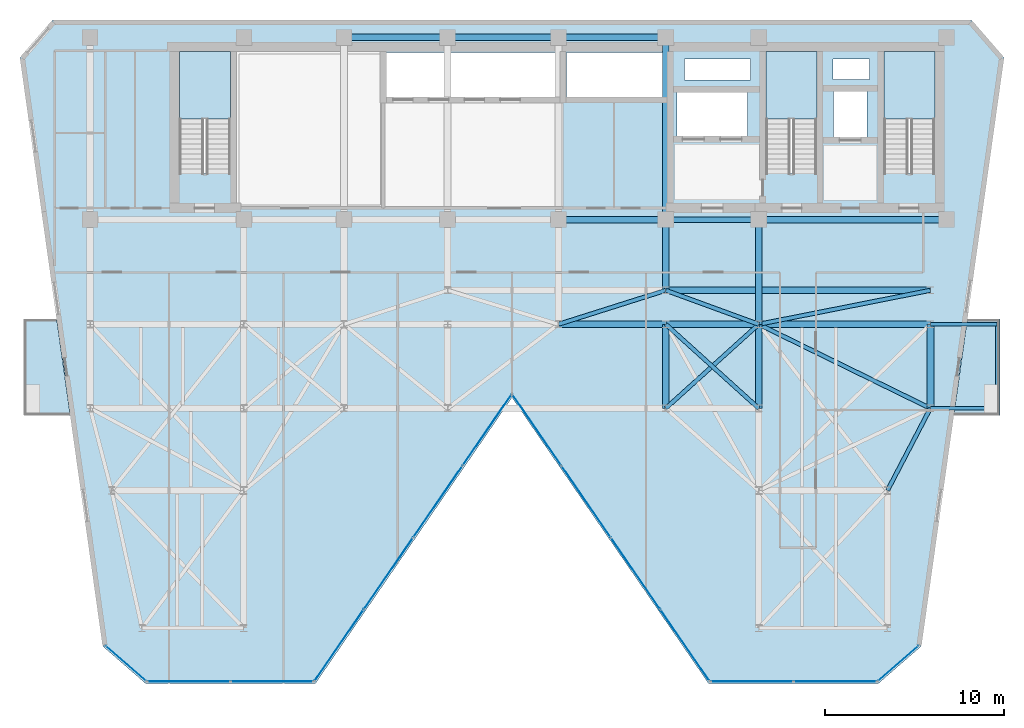
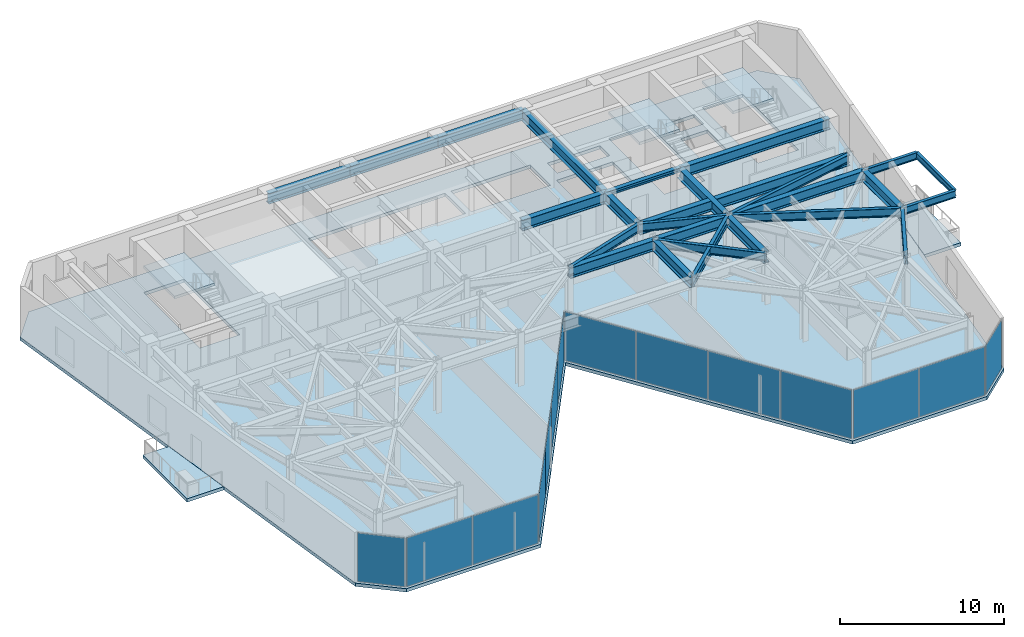
# One storey, part 15 of 21: 26 beams, 14 plates, 6 slabs, 9 elements without a shape of their own.
"""IFC4 building model written with IfcOpenShell, lengths in metres."""

from ifc_helpers import new_model, si_unit, direction, frame, origin, origin_2d, place, context, subcontext, project, spatial, polyline, rectangle, i_section, outline, extrude, material, layer, layer_set, material_profile, profile_set, type_object, element, aggregate, save


model = new_model("IFC4")

# Units and contexts
model_context = context("Model", 3, precision=1e-05, world=origin(), true_north=direction((0.0, 1.0)))
body_context = subcontext(model_context, "Body", "Model", "MODEL_VIEW")
ifc_project = project(units=[si_unit("LENGTHUNIT", "METRE"), si_unit("AREAUNIT", "SQUARE_METRE"), si_unit("VOLUMEUNIT", "CUBIC_METRE"), si_unit("PLANEANGLEUNIT", "RADIAN"), si_unit("MASSUNIT", "GRAM", prefix="KILO")], contexts=[model_context])

# Site, building, storey
site_placement = place(None, origin())
site = spatial("IfcSite", under=ifc_project, at=site_placement, CompositionType="ELEMENT")
building_placement = place(site_placement, origin())
building = spatial("IfcBuilding", under=site, at=building_placement, Name="Kravanh Interchange Tower", CompositionType="ELEMENT")
storey_placement = place(building_placement, frame((0.0, 0.0, 184.5)))
storey = spatial("IfcBuildingStorey", under=building, at=storey_placement, Name="L44", CompositionType="ELEMENT", Elevation=184.5)

# Beams
ifc_material_1 = material(Name="Structural Steel S355", Category="steel")
ifc_material_profile_1 = material_profile(ifc_material_1, i_section(OverallWidth=0.381103515625, OverallDepth=0.77294921875, WebThickness=0.0166015625, FlangeThickness=0.027099609375, FilletRadius=0.02490234375, at=origin_2d()), Name="W30X173")
ifc_profile_set_1 = profile_set([ifc_material_profile_1], Name="Structural Steel S355")
beam_type_1 = type_object("IfcBeamType", Name="Floor Beam W30X173 Structural Steel S355", PredefinedType="BEAM", material=ifc_profile_set_1)
beam_1_placement = place(storey_placement, frame((66.5, 37.35009765625, 3.368408203125), z_axis=(-1.0, 0.0, 0.0), x_axis=(0.0, -1.0, 0.0)))
element("IfcBeam", 1, at=beam_1_placement, inside=storey, type_object=beam_type_1, Name="L44 Primary Floor Girder 5", PredefinedType="BEAM", context=body_context, shape_type="SweptSolid", body=[
    extrude(i_section(OverallWidth=0.381103515625, OverallDepth=0.77294921875, WebThickness=0.0166015625, FlangeThickness=0.027099609375, FilletRadius=0.02490234375, at=origin_2d()), origin(), (0.0, 0.0, 1.0), 10.5),
])
beam_2_placement = place(storey_placement, frame((56.0, 37.35009765625, 3.368408203125), z_axis=(0.0, -1.0, 0.0), x_axis=(1.0, 0.0, 0.0)))
element("IfcBeam", 2, at=beam_2_placement, inside=storey, type_object=beam_type_1, Name="L44 Primary Floor Girder 7", PredefinedType="BEAM", context=body_context, shape_type="SweptSolid", body=[
    extrude(i_section(OverallWidth=0.381103515625, OverallDepth=0.77294921875, WebThickness=0.0166015625, FlangeThickness=0.027099609375, FilletRadius=0.02490234375, at=origin_2d()), origin(), (0.0, 0.0, 1.0), 5.85009765625),
])
beam_3_placement = place(storey_placement, frame((50.800048828125, 47.550048828125, 3.368408203125), z_axis=(-1.0, 0.0, 0.0), x_axis=(0.0, -1.0, 0.0)))
element("IfcBeam", 3, at=beam_3_placement, inside=storey, type_object=beam_type_1, Name="L44 Primary Floor Girder 8", PredefinedType="BEAM", context=body_context, shape_type="SweptSolid", body=[
    extrude(i_section(OverallWidth=0.381103515625, OverallDepth=0.77294921875, WebThickness=0.0166015625, FlangeThickness=0.027099609375, FilletRadius=0.02490234375, at=origin_2d()), origin(), (0.0, 0.0, 1.0), 6.0),
])
beam_4_placement = place(storey_placement, frame((50.800048828125, 47.550048828125, 3.368408203125), z_axis=(0.0, -1.0, 0.0), x_axis=(1.0, 0.0, 0.0)))
element("IfcBeam", 4, at=beam_4_placement, inside=storey, type_object=beam_type_1, Name="L44 Primary Floor Girder 9", PredefinedType="BEAM", context=body_context, shape_type="SweptSolid", body=[
    extrude(i_section(OverallWidth=0.381103515625, OverallDepth=0.77294921875, WebThickness=0.0166015625, FlangeThickness=0.027099609375, FilletRadius=0.02490234375, at=origin_2d()), origin(), (0.0, 0.0, 1.0), 10.199951171875),
])
beam_5_placement = place(storey_placement, frame((50.800048828125, 37.35009765625, 3.368408203125), z_axis=(0.0, -1.0, 0.0), x_axis=(1.0, 0.0, 0.0)))
element("IfcBeam", 5, at=beam_5_placement, inside=storey, type_object=beam_type_1, Name="L44 Primary Floor Girder 10", PredefinedType="BEAM", context=body_context, shape_type="SweptSolid", body=[
    extrude(i_section(OverallWidth=0.381103515625, OverallDepth=0.77294921875, WebThickness=0.0166015625, FlangeThickness=0.027099609375, FilletRadius=0.02490234375, at=origin_2d()), origin(), (0.0, 0.0, 1.0), 3.9501953125),
])
beam_6_placement = place(storey_placement, frame((50.800048828125, 37.35009765625, 3.368408203125), z_axis=(-1.0, 0.0, 0.0), x_axis=(0.0, -1.0, 0.0)))
element("IfcBeam", 6, at=beam_6_placement, inside=storey, type_object=beam_type_1, Name="L44 Primary Floor Girder 11", PredefinedType="BEAM", context=body_context, shape_type="SweptSolid", body=[
    extrude(i_section(OverallWidth=0.381103515625, OverallDepth=0.77294921875, WebThickness=0.0166015625, FlangeThickness=0.027099609375, FilletRadius=0.02490234375, at=origin_2d()), origin(), (0.0, 0.0, 1.0), 6.0),
])
beam_7_placement = place(storey_placement, frame((44.800048828125, 47.550048828125, 3.368408203125), z_axis=(-1.0, 0.0, 0.0), x_axis=(0.0, -1.0, 0.0)))
element("IfcBeam", 7, at=beam_7_placement, inside=storey, type_object=beam_type_1, Name="L44 Primary Floor Girder 15", PredefinedType="BEAM", context=body_context, shape_type="SweptSolid", body=[
    extrude(i_section(OverallWidth=0.381103515625, OverallDepth=0.77294921875, WebThickness=0.0166015625, FlangeThickness=0.027099609375, FilletRadius=0.02490234375, at=origin_2d()), origin(), (0.0, 0.0, 1.0), 6.199951171875),
])
beam_8_placement = place(storey_placement, frame((38.60009765625, 47.550048828125, 3.368408203125), z_axis=(-1.0, 0.0, 0.0), x_axis=(0.0, -1.0, 0.0)))
element("IfcBeam", 8, at=beam_8_placement, inside=storey, type_object=beam_type_1, Name="L44 Primary Floor Girder 19", PredefinedType="BEAM", context=body_context, shape_type="SweptSolid", body=[
    extrude(i_section(OverallWidth=0.381103515625, OverallDepth=0.77294921875, WebThickness=0.0166015625, FlangeThickness=0.027099609375, FilletRadius=0.02490234375, at=origin_2d()), origin(), (0.0, 0.0, 1.0), 5.800048828125),
])
for number, where, z_axis, x_axis, name in (
    (9, (50.800048828125, 26.800048828125, 3.368408203125), (0.0, 1.0, 0.0), (-1.0, 0.0, 0.0), "L44 Primary Floor Girder 49"),
    (10, (56.0, 26.800048828125, 3.368408203125), (0.0, 1.0, 0.0), (-1.0, 0.0, 0.0), "L44 Primary Floor Girder 54"),
    (11, (65.60009765625, 26.800048828125, 3.368408203125), (0.0, 1.0, 0.0), (-1.0, 0.0, 0.0), "L44 Primary Floor Girder 57"),
):
    element("IfcBeam", number, at=place(storey_placement, frame(where, z_axis=z_axis, x_axis=x_axis)), inside=storey, type_object=beam_type_1, Name=name, PredefinedType="BEAM", context=body_context, shape_type="SweptSolid", body=[
        extrude(i_section(OverallWidth=0.381103515625, OverallDepth=0.77294921875, WebThickness=0.0166015625, FlangeThickness=0.027099609375, FilletRadius=0.02490234375, at=origin_2d()), origin(), (0.0, 0.0, 1.0), 4.699951171875),
    ])
beam_9_placement = place(storey_placement, frame((44.800048828125, 31.5, 3.368408203125), z_axis=(1.0, 0.0, 0.0), x_axis=(0.0, 1.0, 0.0)))
element("IfcBeam", 12, at=beam_9_placement, inside=storey, type_object=beam_type_1, Name="L44 Primary Floor Girder 74", PredefinedType="BEAM", context=body_context, shape_type="SweptSolid", body=[
    extrude(i_section(OverallWidth=0.381103515625, OverallDepth=0.77294921875, WebThickness=0.0166015625, FlangeThickness=0.027099609375, FilletRadius=0.02490234375, at=origin_2d()), origin(), (0.0, 0.0, 1.0), 6.0),
])
beam_10_placement = place(storey_placement, frame((50.800048828125, 31.5, 3.368408203125), z_axis=(1.0, 0.0, 0.0), x_axis=(0.0, 1.0, 0.0)))
element("IfcBeam", 13, at=beam_10_placement, inside=storey, type_object=beam_type_1, Name="L44 Primary Floor Girder 77", PredefinedType="BEAM", context=body_context, shape_type="SweptSolid", body=[
    extrude(i_section(OverallWidth=0.381103515625, OverallDepth=0.77294921875, WebThickness=0.0166015625, FlangeThickness=0.027099609375, FilletRadius=0.02490234375, at=origin_2d()), origin(), (0.0, 0.0, 1.0), 5.199951171875),
])
beam_11_placement = place(storey_placement, frame((56.0, 31.5, 3.368408203125), z_axis=(1.0, 0.0, 0.0), x_axis=(0.0, 1.0, 0.0)))
element("IfcBeam", 14, at=beam_11_placement, inside=storey, type_object=beam_type_1, Name="L44 Primary Floor Girder 81", PredefinedType="BEAM", context=body_context, shape_type="SweptSolid", body=[
    extrude(i_section(OverallWidth=0.381103515625, OverallDepth=0.77294921875, WebThickness=0.0166015625, FlangeThickness=0.027099609375, FilletRadius=0.02490234375, at=origin_2d()), origin(), (0.0, 0.0, 1.0), 9.60009765625),
])
beam_12_placement = place(storey_placement, frame((50.800048828125, 33.39990234375, 3.368408203125), z_axis=(1.0, 0.0, 0.0), x_axis=(0.0, 1.0, 0.0)))
element("IfcBeam", 15, at=beam_12_placement, inside=storey, type_object=beam_type_1, Name="L44 Primary Floor Girder 95", PredefinedType="BEAM", context=body_context, shape_type="SweptSolid", body=[
    extrude(i_section(OverallWidth=0.381103515625, OverallDepth=0.77294921875, WebThickness=0.0166015625, FlangeThickness=0.027099609375, FilletRadius=0.02490234375, at=origin_2d()), origin(), (0.0, 0.0, 1.0), 14.800048828125),
])
ifc_material_2 = material(Name="Structural Steel S355", Category="steel")
ifc_material_profile_2 = material_profile(ifc_material_2, i_section(OverallWidth=0.18994140625, OverallDepth=0.45703125, WebThickness=0.009033203125, FlangeThickness=0.014404296875, FilletRadius=0.01806640625, at=origin_2d()), Name="W18X50")
ifc_profile_set_2 = profile_set([ifc_material_profile_2], Name="Structural Steel S355")
beam_type_2 = type_object("IfcBeamType", Name="Floor Joist W18X50 Structural Steel S355", PredefinedType="JOIST", material=ifc_profile_set_2)
beam_13_placement = place(storey_placement, frame((69.330078125, 26.800048828125, 3.526611328125), z_axis=(0.0, 1.0, 0.0), x_axis=(-1.0, 0.0, 0.0)))
element("IfcBeam", 16, at=beam_13_placement, inside=storey, type_object=beam_type_2, Name="L44 Balcony Edge Tie Beam E", PredefinedType="JOIST", context=body_context, shape_type="SweptSolid", body=[
    extrude(i_section(OverallWidth=0.18994140625, OverallDepth=0.45703125, WebThickness=0.009033203125, FlangeThickness=0.014404296875, FilletRadius=0.01806640625, at=origin_2d()), origin(), (0.0, 0.0, 1.0), 4.699951171875),
])
ifc_material_3 = material(Name="Structural Steel S355", Category="steel")
ifc_material_profile_3 = material_profile(ifc_material_3, i_section(OverallWidth=0.304931640625, OverallDepth=0.306884765625, WebThickness=0.010009765625, FlangeThickness=0.015380859375, FilletRadius=0.014892578125, at=origin_2d()), Name="W12X65")
ifc_profile_set_3 = profile_set([ifc_material_profile_3], Name="Structural Steel S355")
beam_type_3 = type_object("IfcBeamType", Name="Floor Lintel W12X65 Structural Steel S355", PredefinedType="LINTEL", material=ifc_profile_set_3)
beam_14_placement = place(storey_placement, frame((50.800048828125, 37.35009765625, 3.6015625), z_axis=(1.0, 0.0, 0.0), x_axis=(0.0, 1.0, 0.0)))
element("IfcBeam", 17, at=beam_14_placement, inside=storey, type_object=beam_type_3, Name="L44 Core Coupling Lintel 1", PredefinedType="LINTEL", context=body_context, shape_type="SweptSolid", body=[
    extrude(i_section(OverallWidth=0.304931640625, OverallDepth=0.306884765625, WebThickness=0.010009765625, FlangeThickness=0.015380859375, FilletRadius=0.014892578125, at=origin_2d()), origin(), (0.0, 0.0, 1.0), 5.199951171875),
])
ifc_material_4 = material(Name="Structural Steel S355", Category="steel")
ifc_material_profile_4 = material_profile(ifc_material_4, i_section(OverallWidth=0.2099609375, OverallDepth=0.537109375, WebThickness=0.010986328125, FlangeThickness=0.017333984375, FilletRadius=0.02001953125, at=origin_2d()), Name="W21X68")
ifc_profile_set_4 = profile_set([ifc_material_profile_4], Name="Structural Steel S355")
beam_type_4 = type_object("IfcBeamType", Name="Floor Spandrel W21X68 Structural Steel S355", PredefinedType="SPANDREL", material=ifc_profile_set_4)
for number, where, z_axis, x_axis, name in (
    (18, (65.60009765625, 26.800048828125, 3.486572265625), (1.0, 0.0, 0.0), (0.0, 1.0, 0.0), "L44 Balcony Cantilever Outrigger E1"),
    (19, (65.60009765625, 31.5, 3.486572265625), (1.0, 0.0, 0.0), (0.0, 1.0, 0.0), "L44 Balcony Cantilever Outrigger E2"),
):
    element("IfcBeam", number, at=place(storey_placement, frame(where, z_axis=z_axis, x_axis=x_axis)), inside=storey, type_object=beam_type_4, Name=name, PredefinedType="SPANDREL", context=body_context, shape_type="SweptSolid", body=[
        extrude(i_section(OverallWidth=0.2099609375, OverallDepth=0.537109375, WebThickness=0.010986328125, FlangeThickness=0.017333984375, FilletRadius=0.02001953125, at=origin_2d()), origin(), (0.0, 0.0, 1.0), 3.72998046875),
    ])
ifc_material_5 = material(Name="Structural Steel S355", Category="steel")
ifc_material_profile_5 = material_profile(ifc_material_5, i_section(OverallWidth=0.22802734375, OverallDepth=0.60791015625, WebThickness=0.01123046875, FlangeThickness=0.017333984375, FilletRadius=0.02197265625, at=origin_2d()), Name="W24X76")
ifc_profile_set_5 = profile_set([ifc_material_profile_5], Name="Structural Steel S355")
beam_type_5 = type_object("IfcBeamType", Name="Floor Spandrel W24X76 Structural Steel S355", PredefinedType="SPANDREL", material=ifc_profile_set_5)
for number, where, z_axis, x_axis, name in (
    (20, (50.800048828125, 26.800048828125, 3.450927734375), (0.741874009795, 0.670539300557, 0.0), (-0.670539300557, 0.741874009795, 0.0), "L44 Perimeter Spandrel 52"),
    (21, (56.0, 26.800048828125, 3.450927734375), (-0.741874009795, 0.670539300557, 0.0), (-0.670539300557, -0.741874009795, 0.0), "L44 Perimeter Spandrel 55"),
):
    element("IfcBeam", number, at=place(storey_placement, frame(where, z_axis=z_axis, x_axis=x_axis)), inside=storey, type_object=beam_type_5, Name=name, PredefinedType="SPANDREL", context=body_context, shape_type="SweptSolid", body=[
        extrude(i_section(OverallWidth=0.22802734375, OverallDepth=0.60791015625, WebThickness=0.01123046875, FlangeThickness=0.017333984375, FilletRadius=0.02197265625, at=origin_2d()), origin(), (0.0, 0.0, 1.0), 7.00927734375),
    ])
beam_15_placement = place(storey_placement, frame((65.60009765625, 26.800048828125, 3.450927734375), z_axis=(-0.462580479178, -0.886577295155, 0.0), x_axis=(0.886577295155, -0.462580479178, 0.0)))
element("IfcBeam", 22, at=beam_15_placement, inside=storey, type_object=beam_type_5, Name="L44 Perimeter Spandrel 58", PredefinedType="SPANDREL", context=body_context, shape_type="SweptSolid", body=[
    extrude(i_section(OverallWidth=0.22802734375, OverallDepth=0.60791015625, WebThickness=0.01123046875, FlangeThickness=0.017333984375, FilletRadius=0.02197265625, at=origin_2d()), origin(), (0.0, 0.0, 1.0), 5.188720703125),
])
beam_16_placement = place(storey_placement, frame((65.60009765625, 26.800048828125, 3.450927734375), z_axis=(-0.898141688387, 0.439706160499, 0.0), x_axis=(-0.439706160499, -0.898141688387, 0.0)))
element("IfcBeam", 23, at=beam_16_placement, inside=storey, type_object=beam_type_5, Name="L44 Perimeter Spandrel 60", PredefinedType="SPANDREL", context=body_context, shape_type="SweptSolid", body=[
    extrude(i_section(OverallWidth=0.22802734375, OverallDepth=0.60791015625, WebThickness=0.01123046875, FlangeThickness=0.017333984375, FilletRadius=0.02197265625, at=origin_2d()), origin(), (0.0, 0.0, 1.0), 10.68896484375),
])
beam_17_placement = place(storey_placement, frame((44.800048828125, 31.5, 3.450927734375), z_axis=(0.953346691051, 0.301877602122, 0.0), x_axis=(-0.301877602122, 0.953346691051, 0.0)))
element("IfcBeam", 24, at=beam_17_placement, inside=storey, type_object=beam_type_5, Name="L44 Perimeter Spandrel 75", PredefinedType="SPANDREL", context=body_context, shape_type="SweptSolid", body=[
    extrude(i_section(OverallWidth=0.22802734375, OverallDepth=0.60791015625, WebThickness=0.01123046875, FlangeThickness=0.017333984375, FilletRadius=0.02197265625, at=origin_2d()), origin(), (0.0, 0.0, 1.0), 6.293701171875),
])
beam_18_placement = place(storey_placement, frame((56.0, 31.5, 3.450927734375), z_axis=(-0.93926957103, 0.343180233896, 0.0), x_axis=(-0.343180233896, -0.93926957103, 0.0)))
element("IfcBeam", 25, at=beam_18_placement, inside=storey, type_object=beam_type_5, Name="L44 Perimeter Spandrel 80", PredefinedType="SPANDREL", context=body_context, shape_type="SweptSolid", body=[
    extrude(i_section(OverallWidth=0.22802734375, OverallDepth=0.60791015625, WebThickness=0.01123046875, FlangeThickness=0.017333984375, FilletRadius=0.02197265625, at=origin_2d()), origin(), (0.0, 0.0, 1.0), 5.5361328125),
])
beam_19_placement = place(storey_placement, frame((56.0, 31.5, 3.450927734375), z_axis=(0.980974000807, 0.194139150457, 0.0), x_axis=(-0.194139150457, 0.980974000807, 0.0)))
element("IfcBeam", 26, at=beam_19_placement, inside=storey, type_object=beam_type_5, Name="L44 Perimeter Spandrel 82", PredefinedType="SPANDREL", context=body_context, shape_type="SweptSolid", body=[
    extrude(i_section(OverallWidth=0.22802734375, OverallDepth=0.60791015625, WebThickness=0.01123046875, FlangeThickness=0.017333984375, FilletRadius=0.02197265625, at=origin_2d()), origin(), (0.0, 0.0, 1.0), 9.786376953125),
])

# Slab
ifc_material_6 = material(Name="Concrete C50/60", Category="concrete")
ifc_layer_1 = layer(ifc_material_6, 0.2451171875)
ifc_layer_set_1 = layer_set([ifc_layer_1], Name="Composite Floor Slab Concrete C50/60 245mm")
slab_type_1 = type_object("IfcSlabType", Name="Composite Floor Slab Concrete C50/60 245mm", PredefinedType="FLOOR", material=ifc_layer_set_1)
slab_1_placement = place(storey_placement, frame((0.0, 0.0, -0.2451171875)))
element("IfcSlab", 27, at=slab_1_placement, inside=storey, type_object=slab_type_1, Name="L44 Structural Floor Slab", PredefinedType="FLOOR", context=body_context, shape_type="SweptSolid", body=[
    extrude(outline(polyline([(19.32177734375, 13.4794921875), (21.714111328125, 11.39990234375), (31.199951171875, 11.39990234375), (42.199951171875, 27.39990234375), (53.199951171875, 11.39990234375), (62.685791015625, 11.39990234375), (65.078125, 13.4794921875), (69.707763671875, 46.42041015625), (67.89990234375, 48.5), (16.5, 48.5), (14.6923828125, 46.42041015625), (19.32177734375, 13.4794921875)]), holes=[polyline([(65.85009765625, 39.925048828125), (65.85009765625, 46.75), (63.0, 46.75), (63.0, 39.925048828125), (65.85009765625, 39.925048828125)]), polyline([(59.25, 39.925048828125), (59.25, 46.75), (56.39990234375, 46.75), (56.39990234375, 39.925048828125), (59.25, 39.925048828125)]), polyline([(26.449951171875, 39.925048828125), (26.449951171875, 46.75), (23.60009765625, 46.75), (23.60009765625, 39.925048828125), (26.449951171875, 39.925048828125)]), polyline([(35.179931640625, 44.219970703125), (44.840087890625, 44.219970703125), (44.840087890625, 46.699951171875), (35.179931640625, 46.699951171875), (35.179931640625, 44.219970703125)]), polyline([(45.239990234375, 44.219970703125), (50.840087890625, 44.219970703125), (50.840087890625, 46.699951171875), (45.239990234375, 46.699951171875), (45.239990234375, 44.219970703125)]), polyline([(51.419921875, 42.02001953125), (55.3798828125, 42.02001953125), (55.3798828125, 44.47998046875), (51.419921875, 44.47998046875), (51.419921875, 42.02001953125)]), polyline([(60.179931640625, 41.97998046875), (62.06005859375, 41.97998046875), (62.06005859375, 44.52001953125), (60.179931640625, 44.52001953125), (60.179931640625, 41.97998046875)]), polyline([(60.14990234375, 45.199951171875), (62.199951171875, 45.199951171875), (62.199951171875, 46.35009765625), (60.14990234375, 46.35009765625), (60.14990234375, 45.199951171875)]), polyline([(51.85009765625, 45.14990234375), (55.550048828125, 45.14990234375), (55.550048828125, 46.35009765625), (51.85009765625, 46.35009765625), (51.85009765625, 45.14990234375)])]), origin(), (0.0, 0.0, 1.0), 0.2451171875),
])

# Stair, slab
ifc_material_7 = material(Name="Concrete C50/60", Category="concrete")
stair_type = type_object("IfcStairType", Name="Core Fire Exit Dogleg Stair Concrete C50/60", PredefinedType="HALF_TURN_STAIR", material=ifc_material_7)
stair_1_placement = place(storey_placement, origin())
stair_1 = element("IfcStair", 28, at=stair_1_placement, inside=storey, type_object=stair_type, Name="L44 Exit Stair ST1", PredefinedType="HALF_TURN_STAIR")
ifc_material_8 = material(Name="Concrete C50/60", Category="concrete")
ifc_layer_2 = layer(ifc_material_8, 0.199951171875)
ifc_layer_set_2 = layer_set([ifc_layer_2], Name="Concrete C50/60 Stair Half-Landing Slab 200mm")
slab_type_2 = type_object("IfcSlabType", Name="Concrete C50/60 Stair Half-Landing Slab 200mm", PredefinedType="LANDING", material=ifc_layer_set_2)
slab_2_placement = place(storey_placement, frame((0.0, 0.0, 1.800048828125)))
slab_2 = element("IfcSlab", 29, at=slab_2_placement, type_object=slab_type_2, Name="ST1 landing 1", PredefinedType="LANDING", context=body_context, shape_type="SweptSolid", body=[
    extrude(outline(polyline([(65.85009765625, 42.97998046875), (65.85009765625, 46.75), (63.0, 46.75), (63.0, 42.97998046875), (65.85009765625, 42.97998046875)])), origin(), (0.0, 0.0, 1.0), 0.199951171875),
])
aggregate(stair_1, [slab_2])

stair_2_placement = place(storey_placement, origin())
stair_2 = element("IfcStair", 30, at=stair_2_placement, inside=storey, type_object=stair_type, Name="L44 Exit Stair ST2", PredefinedType="HALF_TURN_STAIR")
slab_3_placement = place(storey_placement, frame((0.0, 0.0, 1.800048828125)))
slab_3 = element("IfcSlab", 31, at=slab_3_placement, type_object=slab_type_2, Name="ST2 landing 1", PredefinedType="LANDING", context=body_context, shape_type="SweptSolid", body=[
    extrude(outline(polyline([(59.25, 42.97998046875), (59.25, 46.75), (56.39990234375, 46.75), (56.39990234375, 42.97998046875), (59.25, 42.97998046875)])), origin(), (0.0, 0.0, 1.0), 0.199951171875),
])
aggregate(stair_2, [slab_3])

stair_3_placement = place(storey_placement, origin())
stair_3 = element("IfcStair", 32, at=stair_3_placement, inside=storey, type_object=stair_type, Name="L44 Exit Stair ST3", PredefinedType="HALF_TURN_STAIR")
slab_4_placement = place(storey_placement, frame((0.0, 0.0, 1.800048828125)))
slab_4 = element("IfcSlab", 33, at=slab_4_placement, type_object=slab_type_2, Name="ST3 landing 1", PredefinedType="LANDING", context=body_context, shape_type="SweptSolid", body=[
    extrude(outline(polyline([(26.449951171875, 42.97998046875), (26.449951171875, 46.75), (23.60009765625, 46.75), (23.60009765625, 42.97998046875), (26.449951171875, 42.97998046875)])), origin(), (0.0, 0.0, 1.0), 0.199951171875),
])
aggregate(stair_3, [slab_4])

# Curtain wall, plate
ifc_material_9 = material(Name="Anodised Bronze Aluminium", Category="aluminium")
ifc_layer_3 = layer(ifc_material_9, 0.179931640625)
ifc_layer_set_3 = layer_set([ifc_layer_3], Name="Unitised Curtain Wall System CW-Z3 Upper Office")
curtain_wall_type = type_object("IfcCurtainWallType", Name="Unitised Curtain Wall System CW-Z3 Upper Office", PredefinedType="NOTDEFINED", material=ifc_layer_set_3)
curtain_wall_1_placement = place(storey_placement, origin())
curtain_wall_1 = element("IfcCurtainWall", 34, at=curtain_wall_1_placement, inside=storey, type_object=curtain_wall_type, Name="L44 Unitised Curtain Wall CW-L44-01", PredefinedType="NOTDEFINED")
ifc_material_10 = material(Name="Low-E Laminated Architectural Glass", Category="glass")
ifc_layer_4 = layer(ifc_material_10, 0.02392578125)
ifc_layer_set_4 = layer_set([ifc_layer_4], Name="High-Selectivity Double Glazing 24mm")
plate_type = type_object("IfcPlateType", Name="High-Selectivity Double Glazing 24mm", PredefinedType="CURTAIN_PANEL", material=ifc_layer_set_4)
plate_1_placement = place(storey_placement, frame((63.80322265625, 12.5302734375, 0.06005859375), z_axis=(0.0, 0.0, 1.0), x_axis=(-0.754716645379, -0.65605090137, 0.0)))
plate_1 = element("IfcPlate", 35, at=plate_1_placement, type_object=plate_type, Name="CW-Z3 panel 1.1", PredefinedType="CURTAIN_PANEL", context=body_context, shape_type="SweptSolid", body=[
    extrude(rectangle(XDim=2.960205078125, YDim=0.02392578125, at=origin_2d()), origin(), (0.0, 0.0, 1.0), 3.635009765625),
])
aggregate(curtain_wall_1, [plate_1])

# Curtain wall, plates
curtain_wall_2_placement = place(storey_placement, origin())
curtain_wall_2 = element("IfcCurtainWall", 36, at=curtain_wall_2_placement, inside=storey, type_object=curtain_wall_type, Name="L44 Unitised Curtain Wall CW-L44-02", PredefinedType="NOTDEFINED")
plate_2_placement = place(storey_placement, frame((60.281494140625, 11.52001953125, 0.06005859375), z_axis=(0.0, 0.0, 1.0), x_axis=(-1.0, 0.0, 0.0)))
plate_2 = element("IfcPlate", 37, at=plate_2_placement, type_object=plate_type, Name="CW-Z3 panel 1.1", PredefinedType="CURTAIN_PANEL", context=body_context, shape_type="SweptSolid", body=[
    extrude(rectangle(XDim=4.598876953125, YDim=0.02392578125, at=origin_2d()), origin(), (0.0, 0.0, 1.0), 3.635009765625),
])
plate_3_placement = place(storey_placement, frame((55.62255859375, 11.52001953125, 0.06005859375), z_axis=(0.0, 0.0, 1.0), x_axis=(-1.0, 0.0, 0.0)))
plate_3 = element("IfcPlate", 38, at=plate_3_placement, type_object=plate_type, Name="CW-Z3 panel 2.1", PredefinedType="CURTAIN_PANEL", context=body_context, shape_type="SweptSolid", body=[
    extrude(rectangle(XDim=4.598876953125, YDim=0.02392578125, at=origin_2d()), origin(), (0.0, 0.0, 1.0), 3.635009765625),
])
aggregate(curtain_wall_2, [plate_2, plate_3])

curtain_wall_3_placement = place(storey_placement, origin())
curtain_wall_3 = element("IfcCurtainWall", 39, at=curtain_wall_3_placement, inside=storey, type_object=curtain_wall_type, Name="L44 Unitised Curtain Wall CW-L44-03", PredefinedType="NOTDEFINED")
plate_4_placement = place(storey_placement, frame((51.871826171875, 13.5439453125, 0.06005859375), z_axis=(0.0, 0.0, 1.0), x_axis=(-0.566528388217, 0.824042223035, 0.0)))
plate_4 = element("IfcPlate", 40, at=plate_4_placement, type_object=plate_type, Name="CW-Z3 panel 1.1", PredefinedType="CURTAIN_PANEL", context=body_context, shape_type="SweptSolid", body=[
    extrude(rectangle(XDim=4.7919921875, YDim=0.02392578125, at=origin_2d()), origin(), (0.0, 0.0, 1.0), 3.635009765625),
])
plate_5_placement = place(storey_placement, frame((49.114501953125, 17.554443359375, 0.06005859375), z_axis=(0.0, 0.0, 1.0), x_axis=(-0.566528388217, 0.824042223035, 0.0)))
plate_5 = element("IfcPlate", 41, at=plate_5_placement, type_object=plate_type, Name="CW-Z3 panel 2.1", PredefinedType="CURTAIN_PANEL", context=body_context, shape_type="SweptSolid", body=[
    extrude(rectangle(XDim=4.822021484375, YDim=0.02392578125, at=origin_2d()), origin(), (0.0, 0.0, 1.0), 3.635009765625),
])
plate_6_placement = place(storey_placement, frame((46.3486328125, 21.577392578125, 0.06005859375), z_axis=(0.0, 0.0, 1.0), x_axis=(-0.566528388217, 0.824042223035, 0.0)))
plate_6 = element("IfcPlate", 42, at=plate_6_placement, type_object=plate_type, Name="CW-Z3 panel 3.1", PredefinedType="CURTAIN_PANEL", context=body_context, shape_type="SweptSolid", body=[
    extrude(rectangle(XDim=4.822021484375, YDim=0.02392578125, at=origin_2d()), origin(), (0.0, 0.0, 1.0), 3.635009765625),
])
plate_7_placement = place(storey_placement, frame((43.59130859375, 25.587890625, 0.06005859375), z_axis=(0.0, 0.0, 1.0), x_axis=(-0.566528388217, 0.824042223035, 0.0)))
plate_7 = element("IfcPlate", 43, at=plate_7_placement, type_object=plate_type, Name="CW-Z3 panel 4.1", PredefinedType="CURTAIN_PANEL", context=body_context, shape_type="SweptSolid", body=[
    extrude(rectangle(XDim=4.7919921875, YDim=0.02392578125, at=origin_2d()), origin(), (0.0, 0.0, 1.0), 3.635009765625),
])
aggregate(curtain_wall_3, [plate_4, plate_5, plate_6, plate_7])

curtain_wall_4_placement = place(storey_placement, origin())
curtain_wall_4 = element("IfcCurtainWall", 44, at=curtain_wall_4_placement, inside=storey, type_object=curtain_wall_type, Name="L44 Unitised Curtain Wall CW-L44-04", PredefinedType="NOTDEFINED")
plate_8_placement = place(storey_placement, frame((40.80859375, 25.587890625, 0.06005859375), z_axis=(0.0, 0.0, 1.0), x_axis=(-0.566528388217, -0.824042223035, 0.0)))
plate_8 = element("IfcPlate", 45, at=plate_8_placement, type_object=plate_type, Name="CW-Z3 panel 1.1", PredefinedType="CURTAIN_PANEL", context=body_context, shape_type="SweptSolid", body=[
    extrude(rectangle(XDim=4.7919921875, YDim=0.02392578125, at=origin_2d()), origin(), (0.0, 0.0, 1.0), 3.635009765625),
])
plate_9_placement = place(storey_placement, frame((38.05126953125, 21.577392578125, 0.06005859375), z_axis=(0.0, 0.0, 1.0), x_axis=(-0.566528388217, -0.824042223035, 0.0)))
plate_9 = element("IfcPlate", 46, at=plate_9_placement, type_object=plate_type, Name="CW-Z3 panel 2.1", PredefinedType="CURTAIN_PANEL", context=body_context, shape_type="SweptSolid", body=[
    extrude(rectangle(XDim=4.822021484375, YDim=0.02392578125, at=origin_2d()), origin(), (0.0, 0.0, 1.0), 3.635009765625),
])
plate_10_placement = place(storey_placement, frame((35.28564453125, 17.554443359375, 0.06005859375), z_axis=(0.0, 0.0, 1.0), x_axis=(-0.566528388217, -0.824042223035, 0.0)))
plate_10 = element("IfcPlate", 47, at=plate_10_placement, type_object=plate_type, Name="CW-Z3 panel 3.1", PredefinedType="CURTAIN_PANEL", context=body_context, shape_type="SweptSolid", body=[
    extrude(rectangle(XDim=4.822021484375, YDim=0.02392578125, at=origin_2d()), origin(), (0.0, 0.0, 1.0), 3.635009765625),
])
plate_11_placement = place(storey_placement, frame((32.5283203125, 13.5439453125, 0.06005859375), z_axis=(0.0, 0.0, 1.0), x_axis=(-0.566528388217, -0.824042223035, 0.0)))
plate_11 = element("IfcPlate", 48, at=plate_11_placement, type_object=plate_type, Name="CW-Z3 panel 4.1", PredefinedType="CURTAIN_PANEL", context=body_context, shape_type="SweptSolid", body=[
    extrude(rectangle(XDim=4.7919921875, YDim=0.02392578125, at=origin_2d()), origin(), (0.0, 0.0, 1.0), 3.635009765625),
])
aggregate(curtain_wall_4, [plate_8, plate_9, plate_10, plate_11])

curtain_wall_5_placement = place(storey_placement, origin())
curtain_wall_5 = element("IfcCurtainWall", 49, at=curtain_wall_5_placement, inside=storey, type_object=curtain_wall_type, Name="L44 Unitised Curtain Wall CW-L44-05", PredefinedType="NOTDEFINED")
plate_12_placement = place(storey_placement, frame((28.77734375, 11.52001953125, 0.06005859375), z_axis=(0.0, 0.0, 1.0), x_axis=(-1.0, 0.0, 0.0)))
plate_12 = element("IfcPlate", 50, at=plate_12_placement, type_object=plate_type, Name="CW-Z3 panel 1.1", PredefinedType="CURTAIN_PANEL", context=body_context, shape_type="SweptSolid", body=[
    extrude(rectangle(XDim=4.598876953125, YDim=0.02392578125, at=origin_2d()), origin(), (0.0, 0.0, 1.0), 3.635009765625),
])
plate_13_placement = place(storey_placement, frame((24.118408203125, 11.52001953125, 0.06005859375), z_axis=(0.0, 0.0, 1.0), x_axis=(-1.0, 0.0, 0.0)))
plate_13 = element("IfcPlate", 51, at=plate_13_placement, type_object=plate_type, Name="CW-Z3 panel 2.1", PredefinedType="CURTAIN_PANEL", context=body_context, shape_type="SweptSolid", body=[
    extrude(rectangle(XDim=4.598876953125, YDim=0.02392578125, at=origin_2d()), origin(), (0.0, 0.0, 1.0), 3.635009765625),
])
aggregate(curtain_wall_5, [plate_12, plate_13])

# Curtain wall, plate
curtain_wall_6_placement = place(storey_placement, origin())
curtain_wall_6 = element("IfcCurtainWall", 52, at=curtain_wall_6_placement, inside=storey, type_object=curtain_wall_type, Name="L44 Unitised Curtain Wall CW-L44-06", PredefinedType="NOTDEFINED")
plate_14_placement = place(storey_placement, frame((20.5966796875, 12.5302734375, 0.06005859375), z_axis=(0.0, 0.0, 1.0), x_axis=(-0.754716645379, 0.65605090137, 0.0)))
plate_14 = element("IfcPlate", 53, at=plate_14_placement, type_object=plate_type, Name="CW-Z3 panel 1.1", PredefinedType="CURTAIN_PANEL", context=body_context, shape_type="SweptSolid", body=[
    extrude(rectangle(XDim=2.960205078125, YDim=0.02392578125, at=origin_2d()), origin(), (0.0, 0.0, 1.0), 3.635009765625),
])
aggregate(curtain_wall_6, [plate_14])

# Slabs
ifc_material_11 = material(Name="Concrete C50/60", Category="concrete")
ifc_layer_5 = layer(ifc_material_11, 0.199951171875)
ifc_layer_set_5 = layer_set([ifc_layer_5], Name="Planted Tree Balcony Slab Concrete C50/60 200mm")
slab_type_3 = type_object("IfcSlabType", Name="Planted Tree Balcony Slab Concrete C50/60 200mm", PredefinedType="USERDEFINED", material=ifc_layer_set_5)
slab_5_placement = place(storey_placement, frame((0.0, 0.0, -0.2451171875)))
element("IfcSlab", 54, at=slab_5_placement, inside=storey, type_object=slab_type_3, Name="L44 East Tree Planter Balcony Slab", ObjectType="BALCONY", PredefinedType="USERDEFINED", context=body_context, shape_type="SweptSolid", body=[
    extrude(outline(polyline([(69.489990234375, 31.7900390625), (69.489990234375, 26.389892578125), (66.90771484375, 26.389892578125), (67.666748046875, 31.7900390625), (69.489990234375, 31.7900390625)])), origin(), (0.0, 0.0, 1.0), 0.2451171875),
])
slab_6_placement = place(storey_placement, frame((0.0, 0.0, -0.2451171875)))
element("IfcSlab", 55, at=slab_6_placement, inside=storey, type_object=slab_type_3, Name="L44 West Tree Planter Balcony Slab", ObjectType="BALCONY", PredefinedType="USERDEFINED", context=body_context, shape_type="SweptSolid", body=[
    extrude(outline(polyline([(14.89794921875, 26.389892578125), (14.89794921875, 31.7900390625), (16.7333984375, 31.7900390625), (17.4921875, 26.389892578125), (14.89794921875, 26.389892578125)])), origin(), (0.0, 0.0, 1.0), 0.2451171875),
])

save(model, "model.ifc")
